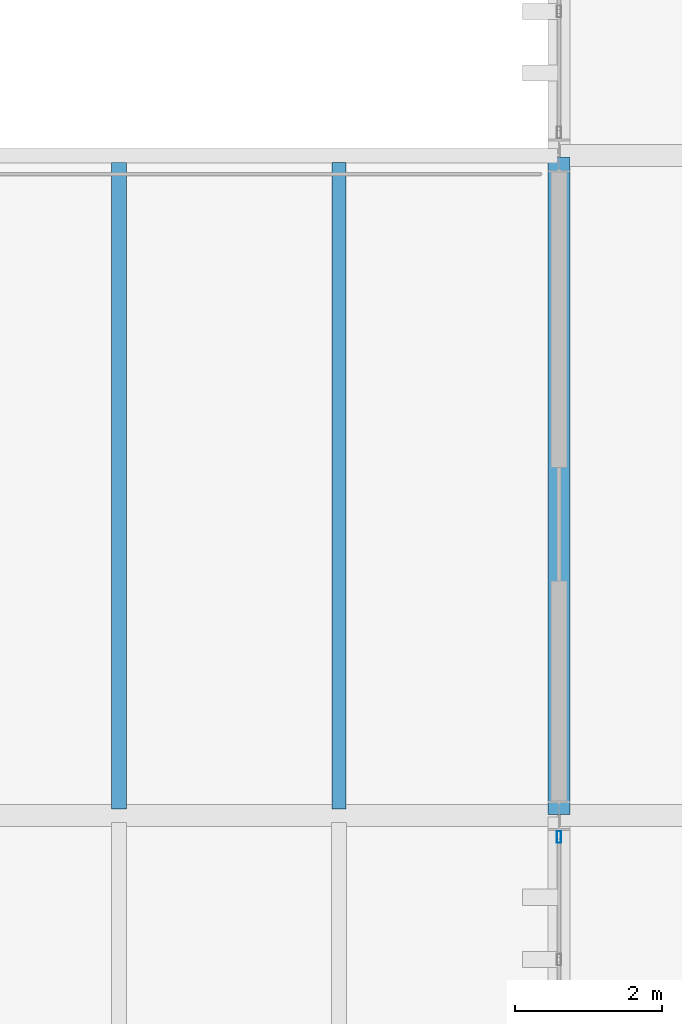
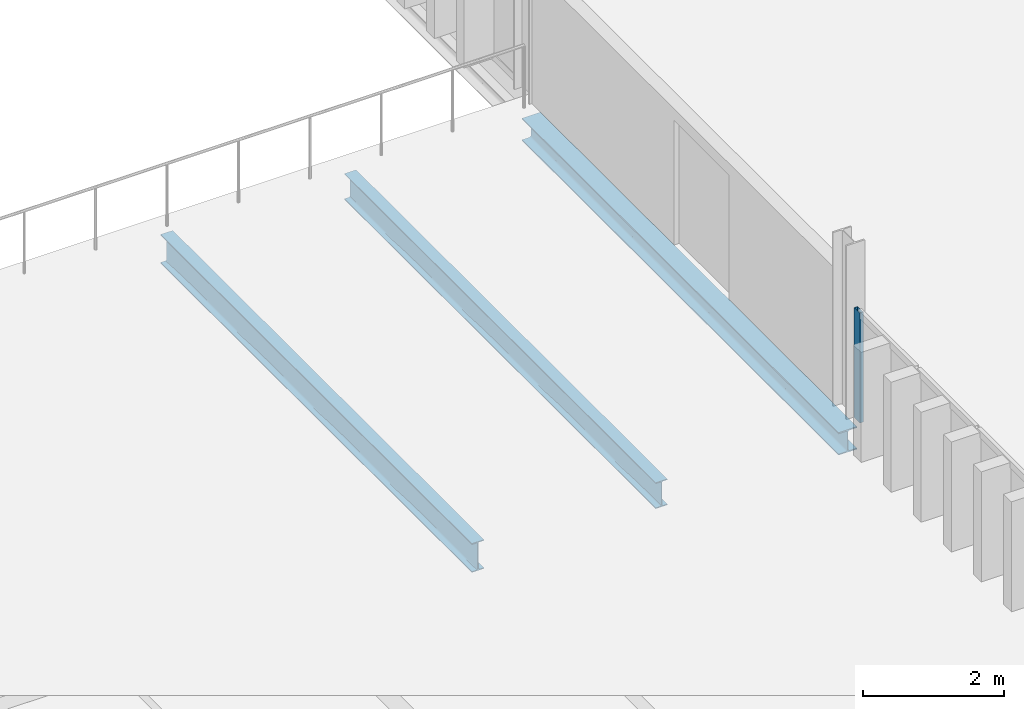
# One storey, part 17 of 58: 3 beams, 1 member, 1 element without a shape of its own.
"""IFC4 building model written with IfcOpenShell, lengths in metres."""

from ifc_helpers import new_model, si_unit, direction, frame, origin, origin_2d, place, context, subcontext, project, spatial, hollow_rectangle, i_section, extrude, material, layer, layer_set, material_profile, profile_set, type_object, element, aggregate, save


model = new_model("IFC4")

# Units and contexts
model_context = context("Model", 3, precision=1e-05, world=origin(), true_north=direction((0.0, 1.0)))
body_context = subcontext(model_context, "Body", "Model", "MODEL_VIEW")
ifc_project = project(units=[si_unit("LENGTHUNIT", "METRE"), si_unit("AREAUNIT", "SQUARE_METRE"), si_unit("VOLUMEUNIT", "CUBIC_METRE"), si_unit("PLANEANGLEUNIT", "RADIAN"), si_unit("MASSUNIT", "GRAM", prefix="KILO")], contexts=[model_context])

# Site, building, storey
site_placement = place(None, origin())
site = spatial("IfcSite", under=ifc_project, at=site_placement, CompositionType="ELEMENT")
building_placement = place(site_placement, origin())
building = spatial("IfcBuilding", under=site, at=building_placement, Name="Barlavento Convention Centre", CompositionType="ELEMENT")
storey_placement = place(building_placement, frame((0.0, 0.0, 26.800048828125)))
storey = spatial("IfcBuildingStorey", under=building, at=storey_placement, Name="L05", CompositionType="ELEMENT", Elevation=26.800048828125)

# Curtain wall, member
ifc_material_1 = material(Name="Powder-coated aluminium and Low-E glass", Category="aluminium")
ifc_layer = layer(ifc_material_1, 0.18994140625)
ifc_layer_set = layer_set([ifc_layer], Name="ARC-CW-CONF-L05")
curtain_wall_type = type_object("IfcCurtainWallType", Name="ARC-CW-CONF-L05", PredefinedType="NOTDEFINED", material=ifc_layer_set)
curtain_wall_placement = place(storey_placement, origin())
curtain_wall = element("IfcCurtainWall", 1, at=curtain_wall_placement, inside=storey, type_object=curtain_wall_type, Name="L05 unitised curtain wall CW10", PredefinedType="NOTDEFINED")
ifc_material_2 = material(Name="Powder-coated aluminium", Category="aluminium")
ifc_material_profile_1 = material_profile(ifc_material_2, hollow_rectangle(XDim=0.06005859375, YDim=0.159912109375, WallThickness=0.00390625, at=origin_2d()), Name="AL-MULL 60x160x4")
ifc_profile_set_1 = profile_set([ifc_material_profile_1], Name="Powder-coated aluminium")
member_type = type_object("IfcMemberType", Name="ARC-CWM-60X160", PredefinedType="MULLION", material=ifc_profile_set_1)
member_placement = place(storey_placement, frame((171.0, 44.7099609375, 0.0), z_axis=(0.0, 0.0, 1.0), x_axis=(-1.0, 0.0, 0.0)))
member = element("IfcMember", 2, at=member_placement, type_object=member_type, Name="CW10 mullion 6", PredefinedType="MULLION", context=body_context, shape_type="SweptSolid", body=[
    extrude(hollow_rectangle(XDim=0.06005859375, YDim=0.159912109375, WallThickness=0.00390625, at=origin_2d()), origin(), (0.0, 0.0, 1.0), 1.89990234375),
])
aggregate(curtain_wall, [member])

# Beams
ifc_material_3 = material(Name="Steel S355", Category="steel")
ifc_material_profile_2 = material_profile(ifc_material_3, i_section(OverallWidth=0.18994140625, OverallDepth=0.449951171875, WebThickness=0.009521484375, FlangeThickness=0.0146484375, FilletRadius=0.02099609375, at=origin_2d()), Name="IPE 450")
ifc_profile_set_2 = profile_set([ifc_material_profile_2], Name="Steel S355")
beam_type_1 = type_object("IfcBeamType", Name="STR-BM-JST-IPE450", PredefinedType="JOIST", material=ifc_profile_set_2)
beam_1_placement = place(storey_placement, frame((168.0, 45.094970703125, -0.465087890625), z_axis=(0.0, 1.0, 0.0), x_axis=(-1.0, 0.0, 0.0)))
element("IfcBeam", 3, at=beam_1_placement, inside=storey, type_object=beam_type_1, Name="L05 composite floor joist SJ03", PredefinedType="JOIST", context=body_context, shape_type="SweptSolid", body=[
    extrude(i_section(OverallWidth=0.18994140625, OverallDepth=0.449951171875, WebThickness=0.009521484375, FlangeThickness=0.0146484375, FilletRadius=0.02099609375, at=origin_2d()), origin(), (0.0, 0.0, 1.0), 8.81005859375),
])
ifc_material_profile_3 = material_profile(ifc_material_3, i_section(OverallWidth=0.199951171875, OverallDepth=0.5, WebThickness=0.01025390625, FlangeThickness=0.01611328125, FilletRadius=0.02099609375, at=origin_2d()), Name="IPE 500")
ifc_profile_set_3 = profile_set([ifc_material_profile_3], Name="Steel S355")
beam_type_2 = type_object("IfcBeamType", Name="STR-BM-JST-IPE500", PredefinedType="JOIST", material=ifc_profile_set_3)
beam_2_placement = place(storey_placement, frame((165.0, 45.094970703125, -0.489990234375), z_axis=(0.0, 1.0, 0.0), x_axis=(-1.0, 0.0, 0.0)))
element("IfcBeam", 4, at=beam_2_placement, inside=storey, type_object=beam_type_2, Name="L05 composite floor joist SJ02", PredefinedType="JOIST", context=body_context, shape_type="SweptSolid", body=[
    extrude(i_section(OverallWidth=0.199951171875, OverallDepth=0.5, WebThickness=0.01025390625, FlangeThickness=0.01611328125, FilletRadius=0.02099609375, at=origin_2d()), origin(), (0.0, 0.0, 1.0), 8.81005859375),
])
ifc_material_profile_4 = material_profile(ifc_material_3, i_section(OverallWidth=0.300048828125, OverallDepth=0.389892578125, WebThickness=0.010986328125, FlangeThickness=0.01904296875, FilletRadius=0.027099609375, at=origin_2d()), Name="HEA 400")
ifc_profile_set_4 = profile_set([ifc_material_profile_4], Name="Steel S355")
beam_type_3 = type_object("IfcBeamType", Name="STR-BM-PRI-HEA400", PredefinedType="BEAM", material=ifc_profile_set_4)
beam_3_placement = place(storey_placement, frame((171.0, 45.02001953125, -0.554931640625), z_axis=(0.0, 1.0, 0.0), x_axis=(-1.0, 0.0, 0.0)))
element("IfcBeam", 5, at=beam_3_placement, inside=storey, type_object=beam_type_3, Name="L05 grid girder BG22", PredefinedType="BEAM", context=body_context, shape_type="SweptSolid", body=[
    extrude(i_section(OverallWidth=0.300048828125, OverallDepth=0.389892578125, WebThickness=0.010986328125, FlangeThickness=0.01904296875, FilletRadius=0.027099609375, at=origin_2d()), origin(), (0.0, 0.0, 1.0), 8.9599609375),
])

save(model, "model.ifc")
